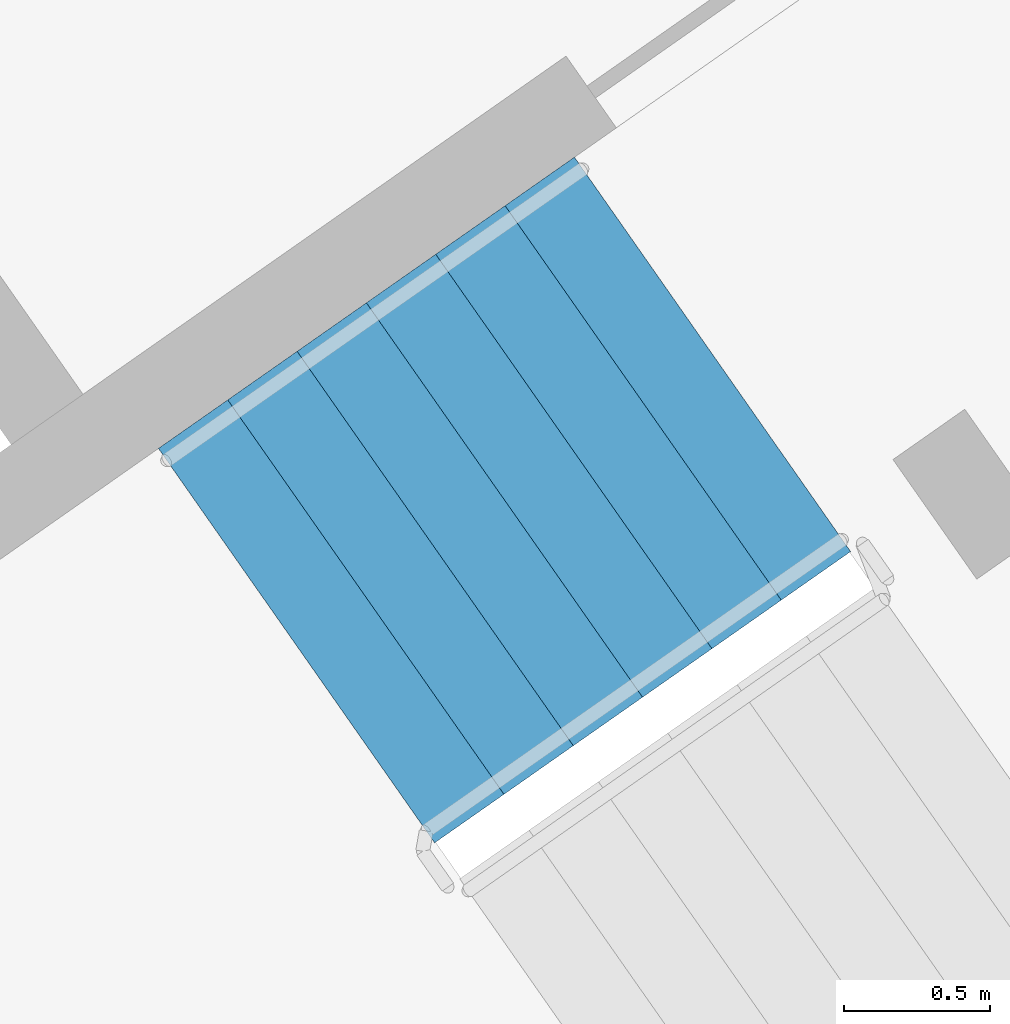
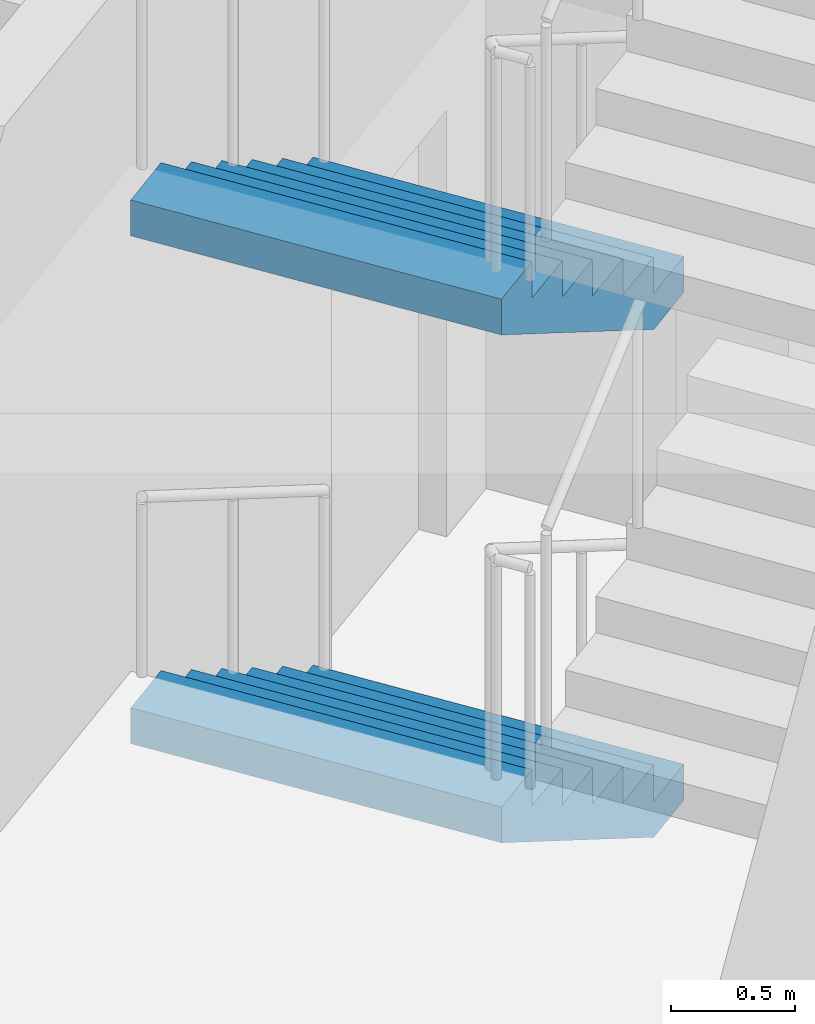
# One storey, part 18 of 24: 2 stair flights, 1 element without a shape of its own.
"""IFC4 building model written with IfcOpenShell, lengths in metres."""

from ifc_helpers import new_model, si_unit, direction, frame, origin, place, context, subcontext, project, spatial, faceted_brep, material, type_object, element, aggregate, save


model = new_model("IFC4")

# Units and contexts
model_context = context("Model", 3, precision=1e-05, world=origin(), true_north=direction((0.0, 1.0)))
body_context = subcontext(model_context, "Body", "Model", "MODEL_VIEW")
ifc_project = project(units=[si_unit("LENGTHUNIT", "METRE"), si_unit("AREAUNIT", "SQUARE_METRE"), si_unit("VOLUMEUNIT", "CUBIC_METRE"), si_unit("PLANEANGLEUNIT", "RADIAN"), si_unit("MASSUNIT", "GRAM", prefix="KILO")], contexts=[model_context])

# Site, building, storey
site_placement = place(None, origin())
site = spatial("IfcSite", under=ifc_project, at=site_placement, CompositionType="ELEMENT")
building_placement = place(site_placement, origin())
building = spatial("IfcBuilding", under=site, at=building_placement, Name="Qamariyya Broadcast Tower", CompositionType="ELEMENT")
storey_placement = place(building_placement, frame((0.0, 0.0, 198.699951171875)))
storey = spatial("IfcBuildingStorey", under=building, at=storey_placement, Name="L47", CompositionType="ELEMENT", Elevation=198.699951171875)

# Stair, stair flights
ifc_material = material(Name="Concrete C50/60", Category="concrete")
stair_type = type_object("IfcStairType", Name="Exit stair 28 risers of 179 mm", PredefinedType="HALF_TURN_STAIR", material=ifc_material)
stair_placement = place(storey_placement, origin())
stair = element("IfcStair", 1, at=stair_placement, inside=storey, type_object=stair_type, Name="L47 Stair E1", PredefinedType="HALF_TURN_STAIR")
stair_flight_type = type_object("IfcStairFlightType", Name="Exit stair flight 7 risers of 179 mm", PredefinedType="STRAIGHT", material=ifc_material)
stair_flight_1_placement = place(storey_placement, frame((46.036376953125, -55.508056640625, 0.0), z_axis=(0.0, 0.0, 1.0), x_axis=(-0.819152044289, -0.573576436351, 0.0)))
stair_flight_1 = element("IfcStairFlight", 2, at=stair_flight_1_placement, type_object=stair_flight_type, Name="ST-E1 flight 1", NumberOfRisers=7, NumberOfTreads=6, PredefinedType="STRAIGHT", RiserHeight=0.178571429, TreadLength=0.29, context=body_context, shape_type="Brep", body=[
    faceted_brep([(0.0, 0.824951171875, 0.0), (0.0, 0.824951171875, 0.178466796875), (0.2900390625, 0.824951171875, 0.178466796875), (0.2900390625, 0.824951171875, 0.357177734375), (0.580078125, 0.824951171875, 0.357177734375), (0.580078125, 0.824951171875, 0.53564453125), (0.8701171875, 0.824951171875, 0.53564453125), (0.8701171875, 0.824951171875, 0.71435546875), (1.159912109375, 0.824951171875, 0.71435546875), (1.159912109375, 0.824951171875, 0.892822265625), (1.449951171875, 0.824951171875, 0.892822265625), (1.449951171875, 0.824951171875, 1.071533203125), (1.739990234375, 0.824951171875, 1.071533203125), (1.739990234375, 0.824951171875, 0.8955078125), (0.285888671875, 0.824951171875, 0.0), (0.285888671875, -0.824951171875, 0.0), (1.739990234375, -0.824951171875, 0.8955078125), (1.739990234375, -0.824951171875, 1.071533203125), (1.449951171875, -0.824951171875, 1.071533203125), (1.449951171875, -0.824951171875, 0.892822265625), (1.159912109375, -0.824951171875, 0.892822265625), (1.159912109375, -0.824951171875, 0.71435546875), (0.8701171875, -0.824951171875, 0.71435546875), (0.8701171875, -0.824951171875, 0.53564453125), (0.580078125, -0.824951171875, 0.53564453125), (0.580078125, -0.824951171875, 0.357177734375), (0.2900390625, -0.824951171875, 0.357177734375), (0.2900390625, -0.824951171875, 0.178466796875), (0.0, -0.824951171875, 0.178466796875), (0.0, -0.824951171875, 0.0), (0.0, 0.10009765625, 0.0), (0.0, 0.086669921875, 0.0), (0.0, 0.0732421875, 0.0), (0.0, 0.06005859375, 0.0), (0.0, 0.046630859375, 0.0), (0.0, 0.033447265625, 0.0), (0.0, 0.02001953125, 0.0), (0.0, 0.006591796875, 0.0), (0.0, -0.006591796875, 0.0), (0.0, -0.02001953125, 0.0), (0.0, -0.033447265625, 0.0), (0.0, -0.046630859375, 0.0), (0.0, -0.06005859375, 0.0), (0.0, -0.0732421875, 0.0), (0.0, -0.086669921875, 0.0), (0.0, -0.10009765625, 0.0), (0.0, -0.10009765625, 0.178466796875), (0.0, -0.086669921875, 0.178466796875), (0.0, -0.0732421875, 0.178466796875), (0.0, -0.06005859375, 0.178466796875), (0.0, -0.046630859375, 0.178466796875), (0.0, -0.033447265625, 0.178466796875), (0.0, -0.02001953125, 0.178466796875), (0.0, -0.006591796875, 0.178466796875), (0.0, 0.006591796875, 0.178466796875), (0.0, 0.02001953125, 0.178466796875), (0.0, 0.033447265625, 0.178466796875), (0.0, 0.046630859375, 0.178466796875), (0.0, 0.06005859375, 0.178466796875), (0.0, 0.0732421875, 0.178466796875), (0.0, 0.086669921875, 0.178466796875), (0.0, 0.10009765625, 0.178466796875), (0.2900390625, -0.10009765625, 0.178466796875), (0.2900390625, -0.086669921875, 0.178466796875), (0.2900390625, -0.0732421875, 0.178466796875), (0.2900390625, -0.06005859375, 0.178466796875), (0.2900390625, -0.046630859375, 0.178466796875), (0.2900390625, -0.033447265625, 0.178466796875), (0.2900390625, -0.02001953125, 0.178466796875), (0.2900390625, -0.006591796875, 0.178466796875), (0.2900390625, 0.006591796875, 0.178466796875), (0.2900390625, 0.02001953125, 0.178466796875), (0.2900390625, 0.033447265625, 0.178466796875), (0.2900390625, 0.046630859375, 0.178466796875), (0.2900390625, 0.06005859375, 0.178466796875), (0.2900390625, 0.0732421875, 0.178466796875), (0.2900390625, 0.086669921875, 0.178466796875), (0.2900390625, 0.10009765625, 0.178466796875), (0.2900390625, -0.10009765625, 0.357177734375), (0.2900390625, -0.086669921875, 0.357177734375), (0.2900390625, -0.0732421875, 0.357177734375), (0.2900390625, -0.06005859375, 0.357177734375), (0.2900390625, -0.046630859375, 0.357177734375), (0.2900390625, -0.033447265625, 0.357177734375), (0.2900390625, -0.02001953125, 0.357177734375), (0.2900390625, -0.006591796875, 0.357177734375), (0.2900390625, 0.006591796875, 0.357177734375), (0.2900390625, 0.02001953125, 0.357177734375), (0.2900390625, 0.033447265625, 0.357177734375), (0.2900390625, 0.046630859375, 0.357177734375), (0.2900390625, 0.06005859375, 0.357177734375), (0.2900390625, 0.0732421875, 0.357177734375), (0.2900390625, 0.086669921875, 0.357177734375), (0.2900390625, 0.10009765625, 0.357177734375), (0.580078125, -0.10009765625, 0.357177734375), (0.580078125, -0.086669921875, 0.357177734375), (0.580078125, -0.0732421875, 0.357177734375), (0.580078125, -0.06005859375, 0.357177734375), (0.580078125, -0.046630859375, 0.357177734375), (0.580078125, -0.033447265625, 0.357177734375), (0.580078125, -0.02001953125, 0.357177734375), (0.580078125, -0.006591796875, 0.357177734375), (0.580078125, 0.006591796875, 0.357177734375), (0.580078125, 0.02001953125, 0.357177734375), (0.580078125, 0.033447265625, 0.357177734375), (0.580078125, 0.046630859375, 0.357177734375), (0.580078125, 0.06005859375, 0.357177734375), (0.580078125, 0.0732421875, 0.357177734375), (0.580078125, 0.086669921875, 0.357177734375), (0.580078125, 0.10009765625, 0.357177734375), (0.580078125, -0.10009765625, 0.53564453125), (0.580078125, -0.086669921875, 0.53564453125), (0.580078125, -0.0732421875, 0.53564453125), (0.580078125, -0.06005859375, 0.53564453125), (0.580078125, -0.046630859375, 0.53564453125), (0.580078125, -0.033447265625, 0.53564453125), (0.580078125, -0.02001953125, 0.53564453125), (0.580078125, -0.006591796875, 0.53564453125), (0.580078125, 0.006591796875, 0.53564453125), (0.580078125, 0.02001953125, 0.53564453125), (0.580078125, 0.033447265625, 0.53564453125), (0.580078125, 0.046630859375, 0.53564453125), (0.580078125, 0.06005859375, 0.53564453125), (0.580078125, 0.0732421875, 0.53564453125), (0.580078125, 0.086669921875, 0.53564453125), (0.580078125, 0.10009765625, 0.53564453125), (0.8701171875, -0.10009765625, 0.53564453125), (0.8701171875, -0.086669921875, 0.53564453125), (0.8701171875, -0.0732421875, 0.53564453125), (0.8701171875, -0.06005859375, 0.53564453125), (0.8701171875, -0.046630859375, 0.53564453125), (0.8701171875, -0.033447265625, 0.53564453125), (0.8701171875, -0.02001953125, 0.53564453125), (0.8701171875, -0.006591796875, 0.53564453125), (0.8701171875, 0.006591796875, 0.53564453125), (0.8701171875, 0.02001953125, 0.53564453125), (0.8701171875, 0.033447265625, 0.53564453125), (0.8701171875, 0.046630859375, 0.53564453125), (0.8701171875, 0.06005859375, 0.53564453125), (0.8701171875, 0.0732421875, 0.53564453125), (0.8701171875, 0.086669921875, 0.53564453125), (0.8701171875, 0.10009765625, 0.53564453125), (0.8701171875, -0.10009765625, 0.71435546875), (0.8701171875, -0.086669921875, 0.71435546875), (0.8701171875, -0.0732421875, 0.71435546875), (0.8701171875, -0.06005859375, 0.71435546875), (0.8701171875, -0.046630859375, 0.71435546875), (0.8701171875, -0.033447265625, 0.71435546875), (0.8701171875, -0.02001953125, 0.71435546875), (0.8701171875, -0.006591796875, 0.71435546875), (0.8701171875, 0.006591796875, 0.71435546875), (0.8701171875, 0.02001953125, 0.71435546875), (0.8701171875, 0.033447265625, 0.71435546875), (0.8701171875, 0.046630859375, 0.71435546875), (0.8701171875, 0.06005859375, 0.71435546875), (0.8701171875, 0.0732421875, 0.71435546875), (0.8701171875, 0.086669921875, 0.71435546875), (0.8701171875, 0.10009765625, 0.71435546875), (1.159912109375, -0.10009765625, 0.71435546875), (1.159912109375, -0.086669921875, 0.71435546875), (1.159912109375, -0.0732421875, 0.71435546875), (1.159912109375, -0.06005859375, 0.71435546875), (1.159912109375, -0.046630859375, 0.71435546875), (1.159912109375, -0.033447265625, 0.71435546875), (1.159912109375, -0.02001953125, 0.71435546875), (1.159912109375, -0.006591796875, 0.71435546875), (1.159912109375, 0.006591796875, 0.71435546875), (1.159912109375, 0.02001953125, 0.71435546875), (1.159912109375, 0.033447265625, 0.71435546875), (1.159912109375, 0.046630859375, 0.71435546875), (1.159912109375, 0.06005859375, 0.71435546875), (1.159912109375, 0.0732421875, 0.71435546875), (1.159912109375, 0.086669921875, 0.71435546875), (1.159912109375, 0.10009765625, 0.71435546875), (1.159912109375, -0.10009765625, 0.892822265625), (1.159912109375, -0.086669921875, 0.892822265625), (1.159912109375, -0.0732421875, 0.892822265625), (1.159912109375, -0.06005859375, 0.892822265625), (1.159912109375, -0.046630859375, 0.892822265625), (1.159912109375, -0.033447265625, 0.892822265625), (1.159912109375, -0.02001953125, 0.892822265625), (1.159912109375, -0.006591796875, 0.892822265625), (1.159912109375, 0.006591796875, 0.892822265625), (1.159912109375, 0.02001953125, 0.892822265625), (1.159912109375, 0.033447265625, 0.892822265625), (1.159912109375, 0.046630859375, 0.892822265625), (1.159912109375, 0.06005859375, 0.892822265625), (1.159912109375, 0.0732421875, 0.892822265625), (1.159912109375, 0.086669921875, 0.892822265625), (1.159912109375, 0.10009765625, 0.892822265625), (1.449951171875, -0.10009765625, 0.892822265625), (1.449951171875, -0.086669921875, 0.892822265625), (1.449951171875, -0.0732421875, 0.892822265625), (1.449951171875, -0.06005859375, 0.892822265625), (1.449951171875, -0.046630859375, 0.892822265625), (1.449951171875, -0.033447265625, 0.892822265625), (1.449951171875, -0.02001953125, 0.892822265625), (1.449951171875, -0.006591796875, 0.892822265625), (1.449951171875, 0.006591796875, 0.892822265625), (1.449951171875, 0.02001953125, 0.892822265625), (1.449951171875, 0.033447265625, 0.892822265625), (1.449951171875, 0.046630859375, 0.892822265625), (1.449951171875, 0.06005859375, 0.892822265625), (1.449951171875, 0.0732421875, 0.892822265625), (1.449951171875, 0.086669921875, 0.892822265625), (1.449951171875, 0.10009765625, 0.892822265625), (1.449951171875, -0.10009765625, 1.071533203125), (1.449951171875, -0.086669921875, 1.071533203125), (1.449951171875, -0.0732421875, 1.071533203125), (1.449951171875, -0.06005859375, 1.071533203125), (1.449951171875, -0.046630859375, 1.071533203125), (1.449951171875, -0.033447265625, 1.071533203125), (1.449951171875, -0.02001953125, 1.071533203125), (1.449951171875, -0.006591796875, 1.071533203125), (1.449951171875, 0.006591796875, 1.071533203125), (1.449951171875, 0.02001953125, 1.071533203125), (1.449951171875, 0.033447265625, 1.071533203125), (1.449951171875, 0.046630859375, 1.071533203125), (1.449951171875, 0.06005859375, 1.071533203125), (1.449951171875, 0.0732421875, 1.071533203125), (1.449951171875, 0.086669921875, 1.071533203125), (1.449951171875, 0.10009765625, 1.071533203125), (1.739990234375, -0.10009765625, 1.071533203125), (1.739990234375, -0.086669921875, 1.071533203125), (1.739990234375, -0.0732421875, 1.071533203125), (1.739990234375, -0.06005859375, 1.071533203125), (1.739990234375, -0.046630859375, 1.071533203125), (1.739990234375, -0.033447265625, 1.071533203125), (1.739990234375, -0.02001953125, 1.071533203125), (1.739990234375, -0.006591796875, 1.071533203125), (1.739990234375, 0.006591796875, 1.071533203125), (1.739990234375, 0.02001953125, 1.071533203125), (1.739990234375, 0.033447265625, 1.071533203125), (1.739990234375, 0.046630859375, 1.071533203125), (1.739990234375, 0.06005859375, 1.071533203125), (1.739990234375, 0.0732421875, 1.071533203125), (1.739990234375, 0.086669921875, 1.071533203125), (1.739990234375, 0.10009765625, 1.071533203125), (1.739990234375, -0.10009765625, 0.8955078125), (1.739990234375, -0.086669921875, 0.8955078125), (1.739990234375, -0.0732421875, 0.8955078125), (1.739990234375, -0.06005859375, 0.8955078125), (1.739990234375, -0.046630859375, 0.8955078125), (1.739990234375, -0.033447265625, 0.8955078125), (1.739990234375, -0.02001953125, 0.8955078125), (1.739990234375, -0.006591796875, 0.8955078125), (1.739990234375, 0.006591796875, 0.8955078125), (1.739990234375, 0.02001953125, 0.8955078125), (1.739990234375, 0.033447265625, 0.8955078125), (1.739990234375, 0.046630859375, 0.8955078125), (1.739990234375, 0.06005859375, 0.8955078125), (1.739990234375, 0.0732421875, 0.8955078125), (1.739990234375, 0.086669921875, 0.8955078125), (1.739990234375, 0.10009765625, 0.8955078125), (0.285888671875, -0.10009765625, 0.0), (0.285888671875, -0.086669921875, 0.0), (0.285888671875, -0.0732421875, 0.0), (0.285888671875, -0.06005859375, 0.0), (0.285888671875, -0.046630859375, 0.0), (0.285888671875, -0.033447265625, 0.0), (0.285888671875, -0.02001953125, 0.0), (0.285888671875, -0.006591796875, 0.0), (0.285888671875, 0.006591796875, 0.0), (0.285888671875, 0.02001953125, 0.0), (0.285888671875, 0.033447265625, 0.0), (0.285888671875, 0.046630859375, 0.0), (0.285888671875, 0.06005859375, 0.0), (0.285888671875, 0.0732421875, 0.0), (0.285888671875, 0.086669921875, 0.0), (0.285888671875, 0.10009765625, 0.0)], [[[0, 1, 2, 3, 4, 5, 6, 7, 8, 9, 10, 11, 12, 13, 14]], [[15, 16, 17, 18, 19, 20, 21, 22, 23, 24, 25, 26, 27, 28, 29]], [[0, 30, 31, 32, 33, 34, 35, 36, 37, 38, 39, 40, 41, 42, 43, 44, 45, 29, 28, 46, 47, 48, 49, 50, 51, 52, 53, 54, 55, 56, 57, 58, 59, 60, 61, 1]], [[1, 61, 60, 59, 58, 57, 56, 55, 54, 53, 52, 51, 50, 49, 48, 47, 46, 28, 27, 62, 63, 64, 65, 66, 67, 68, 69, 70, 71, 72, 73, 74, 75, 76, 77, 2]], [[2, 77, 76, 75, 74, 73, 72, 71, 70, 69, 68, 67, 66, 65, 64, 63, 62, 27, 26, 78, 79, 80, 81, 82, 83, 84, 85, 86, 87, 88, 89, 90, 91, 92, 93, 3]], [[3, 93, 92, 91, 90, 89, 88, 87, 86, 85, 84, 83, 82, 81, 80, 79, 78, 26, 25, 94, 95, 96, 97, 98, 99, 100, 101, 102, 103, 104, 105, 106, 107, 108, 109, 4]], [[4, 109, 108, 107, 106, 105, 104, 103, 102, 101, 100, 99, 98, 97, 96, 95, 94, 25, 24, 110, 111, 112, 113, 114, 115, 116, 117, 118, 119, 120, 121, 122, 123, 124, 125, 5]], [[5, 125, 124, 123, 122, 121, 120, 119, 118, 117, 116, 115, 114, 113, 112, 111, 110, 24, 23, 126, 127, 128, 129, 130, 131, 132, 133, 134, 135, 136, 137, 138, 139, 140, 141, 6]], [[6, 141, 140, 139, 138, 137, 136, 135, 134, 133, 132, 131, 130, 129, 128, 127, 126, 23, 22, 142, 143, 144, 145, 146, 147, 148, 149, 150, 151, 152, 153, 154, 155, 156, 157, 7]], [[7, 157, 156, 155, 154, 153, 152, 151, 150, 149, 148, 147, 146, 145, 144, 143, 142, 22, 21, 158, 159, 160, 161, 162, 163, 164, 165, 166, 167, 168, 169, 170, 171, 172, 173, 8]], [[8, 173, 172, 171, 170, 169, 168, 167, 166, 165, 164, 163, 162, 161, 160, 159, 158, 21, 20, 174, 175, 176, 177, 178, 179, 180, 181, 182, 183, 184, 185, 186, 187, 188, 189, 9]], [[9, 189, 188, 187, 186, 185, 184, 183, 182, 181, 180, 179, 178, 177, 176, 175, 174, 20, 19, 190, 191, 192, 193, 194, 195, 196, 197, 198, 199, 200, 201, 202, 203, 204, 205, 10]], [[10, 205, 204, 203, 202, 201, 200, 199, 198, 197, 196, 195, 194, 193, 192, 191, 190, 19, 18, 206, 207, 208, 209, 210, 211, 212, 213, 214, 215, 216, 217, 218, 219, 220, 221, 11]], [[11, 221, 220, 219, 218, 217, 216, 215, 214, 213, 212, 211, 210, 209, 208, 207, 206, 18, 17, 222, 223, 224, 225, 226, 227, 228, 229, 230, 231, 232, 233, 234, 235, 236, 237, 12]], [[12, 237, 236, 235, 234, 233, 232, 231, 230, 229, 228, 227, 226, 225, 224, 223, 222, 17, 16, 238, 239, 240, 241, 242, 243, 244, 245, 246, 247, 248, 249, 250, 251, 252, 253, 13]], [[13, 253, 252, 251, 250, 249, 248, 247, 246, 245, 244, 243, 242, 241, 240, 239, 238, 16, 15, 254, 255, 256, 257, 258, 259, 260, 261, 262, 263, 264, 265, 266, 267, 268, 269, 14]], [[14, 269, 268, 267, 266, 265, 264, 263, 262, 261, 260, 259, 258, 257, 256, 255, 254, 15, 29, 45, 44, 43, 42, 41, 40, 39, 38, 37, 36, 35, 34, 33, 32, 31, 30, 0]]]),
])
stair_flight_2_placement = place(storey_placement, frame((46.036376953125, -55.508056640625, 2.5), z_axis=(0.0, 0.0, 1.0), x_axis=(-0.819152044289, -0.573576436351, 0.0)))
stair_flight_2 = element("IfcStairFlight", 3, at=stair_flight_2_placement, type_object=stair_flight_type, Name="ST-E1 flight 3", NumberOfRisers=7, NumberOfTreads=6, PredefinedType="STRAIGHT", RiserHeight=0.178571429, TreadLength=0.29, context=body_context, shape_type="Brep", body=[
    faceted_brep([(0.0, 0.824951171875, 0.0), (0.0, 0.824951171875, 0.178466796875), (0.2900390625, 0.824951171875, 0.178466796875), (0.2900390625, 0.824951171875, 0.357177734375), (0.580078125, 0.824951171875, 0.357177734375), (0.580078125, 0.824951171875, 0.53564453125), (0.8701171875, 0.824951171875, 0.53564453125), (0.8701171875, 0.824951171875, 0.71435546875), (1.159912109375, 0.824951171875, 0.71435546875), (1.159912109375, 0.824951171875, 0.892822265625), (1.449951171875, 0.824951171875, 0.892822265625), (1.449951171875, 0.824951171875, 1.071533203125), (1.739990234375, 0.824951171875, 1.071533203125), (1.739990234375, 0.824951171875, 0.8955078125), (0.285888671875, 0.824951171875, 0.0), (0.285888671875, -0.824951171875, 0.0), (1.739990234375, -0.824951171875, 0.8955078125), (1.739990234375, -0.824951171875, 1.071533203125), (1.449951171875, -0.824951171875, 1.071533203125), (1.449951171875, -0.824951171875, 0.892822265625), (1.159912109375, -0.824951171875, 0.892822265625), (1.159912109375, -0.824951171875, 0.71435546875), (0.8701171875, -0.824951171875, 0.71435546875), (0.8701171875, -0.824951171875, 0.53564453125), (0.580078125, -0.824951171875, 0.53564453125), (0.580078125, -0.824951171875, 0.357177734375), (0.2900390625, -0.824951171875, 0.357177734375), (0.2900390625, -0.824951171875, 0.178466796875), (0.0, -0.824951171875, 0.178466796875), (0.0, -0.824951171875, 0.0), (0.0, 0.10009765625, 0.0), (0.0, 0.086669921875, 0.0), (0.0, 0.0732421875, 0.0), (0.0, 0.06005859375, 0.0), (0.0, 0.046630859375, 0.0), (0.0, 0.033447265625, 0.0), (0.0, 0.02001953125, 0.0), (0.0, 0.006591796875, 0.0), (0.0, -0.006591796875, 0.0), (0.0, -0.02001953125, 0.0), (0.0, -0.033447265625, 0.0), (0.0, -0.046630859375, 0.0), (0.0, -0.06005859375, 0.0), (0.0, -0.0732421875, 0.0), (0.0, -0.086669921875, 0.0), (0.0, -0.10009765625, 0.0), (0.0, -0.10009765625, 0.178466796875), (0.0, -0.086669921875, 0.178466796875), (0.0, -0.0732421875, 0.178466796875), (0.0, -0.06005859375, 0.178466796875), (0.0, -0.046630859375, 0.178466796875), (0.0, -0.033447265625, 0.178466796875), (0.0, -0.02001953125, 0.178466796875), (0.0, -0.006591796875, 0.178466796875), (0.0, 0.006591796875, 0.178466796875), (0.0, 0.02001953125, 0.178466796875), (0.0, 0.033447265625, 0.178466796875), (0.0, 0.046630859375, 0.178466796875), (0.0, 0.06005859375, 0.178466796875), (0.0, 0.0732421875, 0.178466796875), (0.0, 0.086669921875, 0.178466796875), (0.0, 0.10009765625, 0.178466796875), (0.2900390625, -0.10009765625, 0.178466796875), (0.2900390625, -0.086669921875, 0.178466796875), (0.2900390625, -0.0732421875, 0.178466796875), (0.2900390625, -0.06005859375, 0.178466796875), (0.2900390625, -0.046630859375, 0.178466796875), (0.2900390625, -0.033447265625, 0.178466796875), (0.2900390625, -0.02001953125, 0.178466796875), (0.2900390625, -0.006591796875, 0.178466796875), (0.2900390625, 0.006591796875, 0.178466796875), (0.2900390625, 0.02001953125, 0.178466796875), (0.2900390625, 0.033447265625, 0.178466796875), (0.2900390625, 0.046630859375, 0.178466796875), (0.2900390625, 0.06005859375, 0.178466796875), (0.2900390625, 0.0732421875, 0.178466796875), (0.2900390625, 0.086669921875, 0.178466796875), (0.2900390625, 0.10009765625, 0.178466796875), (0.2900390625, -0.10009765625, 0.357177734375), (0.2900390625, -0.086669921875, 0.357177734375), (0.2900390625, -0.0732421875, 0.357177734375), (0.2900390625, -0.06005859375, 0.357177734375), (0.2900390625, -0.046630859375, 0.357177734375), (0.2900390625, -0.033447265625, 0.357177734375), (0.2900390625, -0.02001953125, 0.357177734375), (0.2900390625, -0.006591796875, 0.357177734375), (0.2900390625, 0.006591796875, 0.357177734375), (0.2900390625, 0.02001953125, 0.357177734375), (0.2900390625, 0.033447265625, 0.357177734375), (0.2900390625, 0.046630859375, 0.357177734375), (0.2900390625, 0.06005859375, 0.357177734375), (0.2900390625, 0.0732421875, 0.357177734375), (0.2900390625, 0.086669921875, 0.357177734375), (0.2900390625, 0.10009765625, 0.357177734375), (0.580078125, -0.10009765625, 0.357177734375), (0.580078125, -0.086669921875, 0.357177734375), (0.580078125, -0.0732421875, 0.357177734375), (0.580078125, -0.06005859375, 0.357177734375), (0.580078125, -0.046630859375, 0.357177734375), (0.580078125, -0.033447265625, 0.357177734375), (0.580078125, -0.02001953125, 0.357177734375), (0.580078125, -0.006591796875, 0.357177734375), (0.580078125, 0.006591796875, 0.357177734375), (0.580078125, 0.02001953125, 0.357177734375), (0.580078125, 0.033447265625, 0.357177734375), (0.580078125, 0.046630859375, 0.357177734375), (0.580078125, 0.06005859375, 0.357177734375), (0.580078125, 0.0732421875, 0.357177734375), (0.580078125, 0.086669921875, 0.357177734375), (0.580078125, 0.10009765625, 0.357177734375), (0.580078125, -0.10009765625, 0.53564453125), (0.580078125, -0.086669921875, 0.53564453125), (0.580078125, -0.0732421875, 0.53564453125), (0.580078125, -0.06005859375, 0.53564453125), (0.580078125, -0.046630859375, 0.53564453125), (0.580078125, -0.033447265625, 0.53564453125), (0.580078125, -0.02001953125, 0.53564453125), (0.580078125, -0.006591796875, 0.53564453125), (0.580078125, 0.006591796875, 0.53564453125), (0.580078125, 0.02001953125, 0.53564453125), (0.580078125, 0.033447265625, 0.53564453125), (0.580078125, 0.046630859375, 0.53564453125), (0.580078125, 0.06005859375, 0.53564453125), (0.580078125, 0.0732421875, 0.53564453125), (0.580078125, 0.086669921875, 0.53564453125), (0.580078125, 0.10009765625, 0.53564453125), (0.8701171875, -0.10009765625, 0.53564453125), (0.8701171875, -0.086669921875, 0.53564453125), (0.8701171875, -0.0732421875, 0.53564453125), (0.8701171875, -0.06005859375, 0.53564453125), (0.8701171875, -0.046630859375, 0.53564453125), (0.8701171875, -0.033447265625, 0.53564453125), (0.8701171875, -0.02001953125, 0.53564453125), (0.8701171875, -0.006591796875, 0.53564453125), (0.8701171875, 0.006591796875, 0.53564453125), (0.8701171875, 0.02001953125, 0.53564453125), (0.8701171875, 0.033447265625, 0.53564453125), (0.8701171875, 0.046630859375, 0.53564453125), (0.8701171875, 0.06005859375, 0.53564453125), (0.8701171875, 0.0732421875, 0.53564453125), (0.8701171875, 0.086669921875, 0.53564453125), (0.8701171875, 0.10009765625, 0.53564453125), (0.8701171875, -0.10009765625, 0.71435546875), (0.8701171875, -0.086669921875, 0.71435546875), (0.8701171875, -0.0732421875, 0.71435546875), (0.8701171875, -0.06005859375, 0.71435546875), (0.8701171875, -0.046630859375, 0.71435546875), (0.8701171875, -0.033447265625, 0.71435546875), (0.8701171875, -0.02001953125, 0.71435546875), (0.8701171875, -0.006591796875, 0.71435546875), (0.8701171875, 0.006591796875, 0.71435546875), (0.8701171875, 0.02001953125, 0.71435546875), (0.8701171875, 0.033447265625, 0.71435546875), (0.8701171875, 0.046630859375, 0.71435546875), (0.8701171875, 0.06005859375, 0.71435546875), (0.8701171875, 0.0732421875, 0.71435546875), (0.8701171875, 0.086669921875, 0.71435546875), (0.8701171875, 0.10009765625, 0.71435546875), (1.159912109375, -0.10009765625, 0.71435546875), (1.159912109375, -0.086669921875, 0.71435546875), (1.159912109375, -0.0732421875, 0.71435546875), (1.159912109375, -0.06005859375, 0.71435546875), (1.159912109375, -0.046630859375, 0.71435546875), (1.159912109375, -0.033447265625, 0.71435546875), (1.159912109375, -0.02001953125, 0.71435546875), (1.159912109375, -0.006591796875, 0.71435546875), (1.159912109375, 0.006591796875, 0.71435546875), (1.159912109375, 0.02001953125, 0.71435546875), (1.159912109375, 0.033447265625, 0.71435546875), (1.159912109375, 0.046630859375, 0.71435546875), (1.159912109375, 0.06005859375, 0.71435546875), (1.159912109375, 0.0732421875, 0.71435546875), (1.159912109375, 0.086669921875, 0.71435546875), (1.159912109375, 0.10009765625, 0.71435546875), (1.159912109375, -0.10009765625, 0.892822265625), (1.159912109375, -0.086669921875, 0.892822265625), (1.159912109375, -0.0732421875, 0.892822265625), (1.159912109375, -0.06005859375, 0.892822265625), (1.159912109375, -0.046630859375, 0.892822265625), (1.159912109375, -0.033447265625, 0.892822265625), (1.159912109375, -0.02001953125, 0.892822265625), (1.159912109375, -0.006591796875, 0.892822265625), (1.159912109375, 0.006591796875, 0.892822265625), (1.159912109375, 0.02001953125, 0.892822265625), (1.159912109375, 0.033447265625, 0.892822265625), (1.159912109375, 0.046630859375, 0.892822265625), (1.159912109375, 0.06005859375, 0.892822265625), (1.159912109375, 0.0732421875, 0.892822265625), (1.159912109375, 0.086669921875, 0.892822265625), (1.159912109375, 0.10009765625, 0.892822265625), (1.449951171875, -0.10009765625, 0.892822265625), (1.449951171875, -0.086669921875, 0.892822265625), (1.449951171875, -0.0732421875, 0.892822265625), (1.449951171875, -0.06005859375, 0.892822265625), (1.449951171875, -0.046630859375, 0.892822265625), (1.449951171875, -0.033447265625, 0.892822265625), (1.449951171875, -0.02001953125, 0.892822265625), (1.449951171875, -0.006591796875, 0.892822265625), (1.449951171875, 0.006591796875, 0.892822265625), (1.449951171875, 0.02001953125, 0.892822265625), (1.449951171875, 0.033447265625, 0.892822265625), (1.449951171875, 0.046630859375, 0.892822265625), (1.449951171875, 0.06005859375, 0.892822265625), (1.449951171875, 0.0732421875, 0.892822265625), (1.449951171875, 0.086669921875, 0.892822265625), (1.449951171875, 0.10009765625, 0.892822265625), (1.449951171875, -0.10009765625, 1.071533203125), (1.449951171875, -0.086669921875, 1.071533203125), (1.449951171875, -0.0732421875, 1.071533203125), (1.449951171875, -0.06005859375, 1.071533203125), (1.449951171875, -0.046630859375, 1.071533203125), (1.449951171875, -0.033447265625, 1.071533203125), (1.449951171875, -0.02001953125, 1.071533203125), (1.449951171875, -0.006591796875, 1.071533203125), (1.449951171875, 0.006591796875, 1.071533203125), (1.449951171875, 0.02001953125, 1.071533203125), (1.449951171875, 0.033447265625, 1.071533203125), (1.449951171875, 0.046630859375, 1.071533203125), (1.449951171875, 0.06005859375, 1.071533203125), (1.449951171875, 0.0732421875, 1.071533203125), (1.449951171875, 0.086669921875, 1.071533203125), (1.449951171875, 0.10009765625, 1.071533203125), (1.739990234375, -0.10009765625, 1.071533203125), (1.739990234375, -0.086669921875, 1.071533203125), (1.739990234375, -0.0732421875, 1.071533203125), (1.739990234375, -0.06005859375, 1.071533203125), (1.739990234375, -0.046630859375, 1.071533203125), (1.739990234375, -0.033447265625, 1.071533203125), (1.739990234375, -0.02001953125, 1.071533203125), (1.739990234375, -0.006591796875, 1.071533203125), (1.739990234375, 0.006591796875, 1.071533203125), (1.739990234375, 0.02001953125, 1.071533203125), (1.739990234375, 0.033447265625, 1.071533203125), (1.739990234375, 0.046630859375, 1.071533203125), (1.739990234375, 0.06005859375, 1.071533203125), (1.739990234375, 0.0732421875, 1.071533203125), (1.739990234375, 0.086669921875, 1.071533203125), (1.739990234375, 0.10009765625, 1.071533203125), (1.739990234375, -0.10009765625, 0.8955078125), (1.739990234375, -0.086669921875, 0.8955078125), (1.739990234375, -0.0732421875, 0.8955078125), (1.739990234375, -0.06005859375, 0.8955078125), (1.739990234375, -0.046630859375, 0.8955078125), (1.739990234375, -0.033447265625, 0.8955078125), (1.739990234375, -0.02001953125, 0.8955078125), (1.739990234375, -0.006591796875, 0.8955078125), (1.739990234375, 0.006591796875, 0.8955078125), (1.739990234375, 0.02001953125, 0.8955078125), (1.739990234375, 0.033447265625, 0.8955078125), (1.739990234375, 0.046630859375, 0.8955078125), (1.739990234375, 0.06005859375, 0.8955078125), (1.739990234375, 0.0732421875, 0.8955078125), (1.739990234375, 0.086669921875, 0.8955078125), (1.739990234375, 0.10009765625, 0.8955078125), (0.285888671875, -0.10009765625, 0.0), (0.285888671875, -0.086669921875, 0.0), (0.285888671875, -0.0732421875, 0.0), (0.285888671875, -0.06005859375, 0.0), (0.285888671875, -0.046630859375, 0.0), (0.285888671875, -0.033447265625, 0.0), (0.285888671875, -0.02001953125, 0.0), (0.285888671875, -0.006591796875, 0.0), (0.285888671875, 0.006591796875, 0.0), (0.285888671875, 0.02001953125, 0.0), (0.285888671875, 0.033447265625, 0.0), (0.285888671875, 0.046630859375, 0.0), (0.285888671875, 0.06005859375, 0.0), (0.285888671875, 0.0732421875, 0.0), (0.285888671875, 0.086669921875, 0.0), (0.285888671875, 0.10009765625, 0.0)], [[[0, 1, 2, 3, 4, 5, 6, 7, 8, 9, 10, 11, 12, 13, 14]], [[15, 16, 17, 18, 19, 20, 21, 22, 23, 24, 25, 26, 27, 28, 29]], [[0, 30, 31, 32, 33, 34, 35, 36, 37, 38, 39, 40, 41, 42, 43, 44, 45, 29, 28, 46, 47, 48, 49, 50, 51, 52, 53, 54, 55, 56, 57, 58, 59, 60, 61, 1]], [[1, 61, 60, 59, 58, 57, 56, 55, 54, 53, 52, 51, 50, 49, 48, 47, 46, 28, 27, 62, 63, 64, 65, 66, 67, 68, 69, 70, 71, 72, 73, 74, 75, 76, 77, 2]], [[2, 77, 76, 75, 74, 73, 72, 71, 70, 69, 68, 67, 66, 65, 64, 63, 62, 27, 26, 78, 79, 80, 81, 82, 83, 84, 85, 86, 87, 88, 89, 90, 91, 92, 93, 3]], [[3, 93, 92, 91, 90, 89, 88, 87, 86, 85, 84, 83, 82, 81, 80, 79, 78, 26, 25, 94, 95, 96, 97, 98, 99, 100, 101, 102, 103, 104, 105, 106, 107, 108, 109, 4]], [[4, 109, 108, 107, 106, 105, 104, 103, 102, 101, 100, 99, 98, 97, 96, 95, 94, 25, 24, 110, 111, 112, 113, 114, 115, 116, 117, 118, 119, 120, 121, 122, 123, 124, 125, 5]], [[5, 125, 124, 123, 122, 121, 120, 119, 118, 117, 116, 115, 114, 113, 112, 111, 110, 24, 23, 126, 127, 128, 129, 130, 131, 132, 133, 134, 135, 136, 137, 138, 139, 140, 141, 6]], [[6, 141, 140, 139, 138, 137, 136, 135, 134, 133, 132, 131, 130, 129, 128, 127, 126, 23, 22, 142, 143, 144, 145, 146, 147, 148, 149, 150, 151, 152, 153, 154, 155, 156, 157, 7]], [[7, 157, 156, 155, 154, 153, 152, 151, 150, 149, 148, 147, 146, 145, 144, 143, 142, 22, 21, 158, 159, 160, 161, 162, 163, 164, 165, 166, 167, 168, 169, 170, 171, 172, 173, 8]], [[8, 173, 172, 171, 170, 169, 168, 167, 166, 165, 164, 163, 162, 161, 160, 159, 158, 21, 20, 174, 175, 176, 177, 178, 179, 180, 181, 182, 183, 184, 185, 186, 187, 188, 189, 9]], [[9, 189, 188, 187, 186, 185, 184, 183, 182, 181, 180, 179, 178, 177, 176, 175, 174, 20, 19, 190, 191, 192, 193, 194, 195, 196, 197, 198, 199, 200, 201, 202, 203, 204, 205, 10]], [[10, 205, 204, 203, 202, 201, 200, 199, 198, 197, 196, 195, 194, 193, 192, 191, 190, 19, 18, 206, 207, 208, 209, 210, 211, 212, 213, 214, 215, 216, 217, 218, 219, 220, 221, 11]], [[11, 221, 220, 219, 218, 217, 216, 215, 214, 213, 212, 211, 210, 209, 208, 207, 206, 18, 17, 222, 223, 224, 225, 226, 227, 228, 229, 230, 231, 232, 233, 234, 235, 236, 237, 12]], [[12, 237, 236, 235, 234, 233, 232, 231, 230, 229, 228, 227, 226, 225, 224, 223, 222, 17, 16, 238, 239, 240, 241, 242, 243, 244, 245, 246, 247, 248, 249, 250, 251, 252, 253, 13]], [[13, 253, 252, 251, 250, 249, 248, 247, 246, 245, 244, 243, 242, 241, 240, 239, 238, 16, 15, 254, 255, 256, 257, 258, 259, 260, 261, 262, 263, 264, 265, 266, 267, 268, 269, 14]], [[14, 269, 268, 267, 266, 265, 264, 263, 262, 261, 260, 259, 258, 257, 256, 255, 254, 15, 29, 45, 44, 43, 42, 41, 40, 39, 38, 37, 36, 35, 34, 33, 32, 31, 30, 0]]]),
])
aggregate(stair, [stair_flight_1, stair_flight_2])

save(model, "model.ifc")
